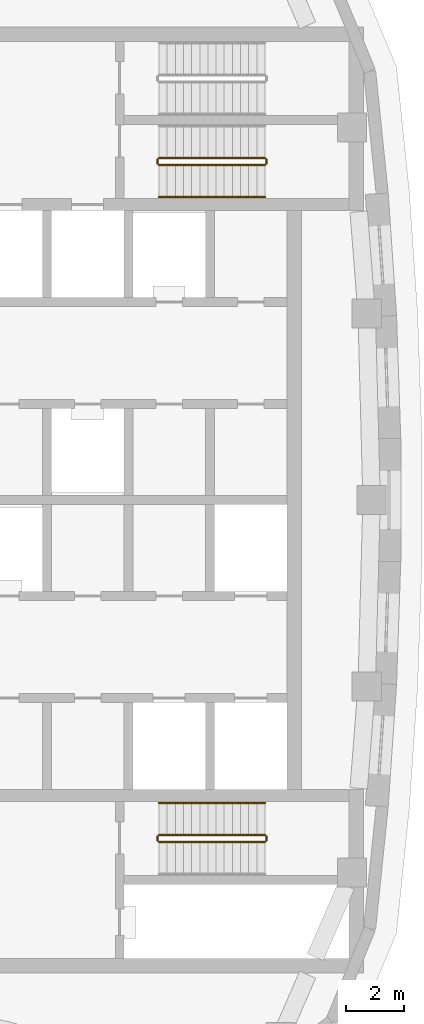
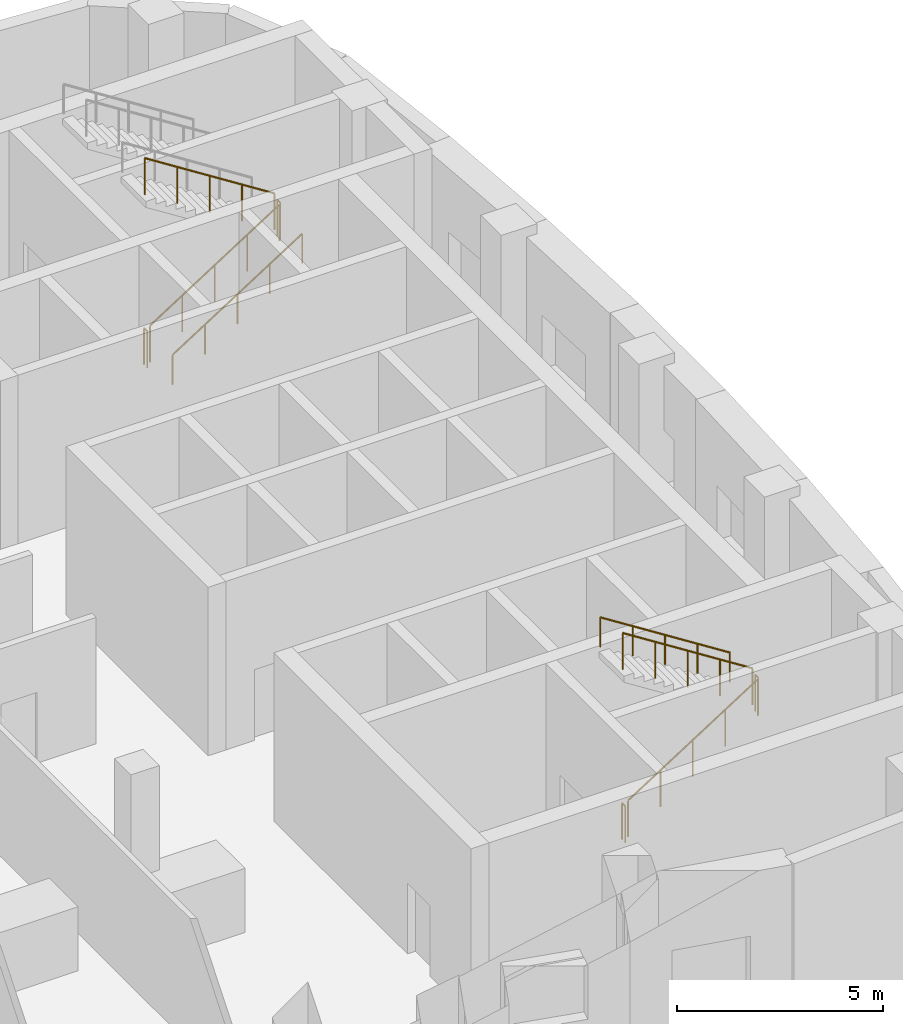
# One storey, part 6 of 8: 10 railings.
"""IFC4 building model written with IfcOpenShell, lengths in metres."""

import ifcopenshell
import ifcopenshell.guid

model = None  # the IFC model being written
_history = None  # IfcOwnerHistory: only IFC2X3 demands one
_inside = {}  # id of a spatial element -> (the spatial element, [elements in it])
_under = {}  # id of a project, library or spatial element -> (it, [spatial elements below it])
_declared = {}  # id of a project -> (the project, [libraries it declares])
_typed = {}  # id of a type object -> (the type object, [elements of that type])
_made_of = {}  # id of a material, layer set ... -> (it, [elements and type objects made of it])


def new_model(schema):
    """Start an empty IFC model of exactly this schema.

    Asked for "IFC4X3", IfcOpenShell would pick the latest addendum, in which some entities
    have other attributes; the version numbers below select the first issue.
    IFC2X3 requires an IfcOwnerHistory on every rooted entity: one is made here for all.
    """
    global model, _history
    if schema == "IFC4X3":
        model = ifcopenshell.file(schema_version=(4, 3, 0, 0))
    else:
        model = ifcopenshell.file(schema=schema)
    _inside.clear()
    _under.clear()
    _declared.clear()
    _typed.clear()
    _made_of.clear()
    _history = None
    if model.schema == "IFC2X3":
        org = make("IfcOrganization", Name="unknown")
        user = make(
            "IfcPersonAndOrganization",
            ThePerson=make("IfcPerson", FamilyName="unknown"),
            TheOrganization=org,
        )
        app = make(
            "IfcApplication",
            ApplicationDeveloper=org,
            Version="unknown",
            ApplicationFullName="unknown",
            ApplicationIdentifier="unknown",
        )
        _history = make(
            "IfcOwnerHistory",
            OwningUser=user,
            OwningApplication=app,
            ChangeAction="ADDED",
            CreationDate=0,
        )
    return model


def make(cls, **values):
    """One entity of the class cls with the attributes given. An attribute that is None is left unset."""
    return model.create_entity(
        cls, **{name: value for name, value in values.items() if value is not None}
    )


def rooted(cls, **values):
    """An entity with a GlobalId (a new one), such as an element, a storey or a relation."""
    return make(cls, GlobalId=ifcopenshell.guid.new(), OwnerHistory=_history, **values)


def si_unit(unit_type, name, prefix=None):
    """IfcSIUnit, for example si_unit("LENGTHUNIT", "METRE", prefix="MILLI")."""
    return make("IfcSIUnit", UnitType=unit_type, Prefix=prefix, Name=name)


def assignment(units):
    """IfcUnitAssignment: the units of a project."""
    return None if units is None else make("IfcUnitAssignment", Units=units)


def point(xyz):
    """IfcCartesianPoint."""
    return None if xyz is None else make("IfcCartesianPoint", Coordinates=xyz)


def direction(xyz):
    """IfcDirection."""
    return None if xyz is None else make("IfcDirection", DirectionRatios=xyz)


def frame(location, z_axis=None, x_axis=None):
    """IfcAxis2Placement3D, a coordinate frame: its origin and axes. An axis left out is left unset."""
    return make(
        "IfcAxis2Placement3D",
        Location=point(location),
        Axis=direction(z_axis),
        RefDirection=direction(x_axis),
    )


def frame_2d(location, x_axis=None):
    """IfcAxis2Placement2D, a coordinate frame in the plane: its origin and x axis."""
    return make(
        "IfcAxis2Placement2D", Location=point(location), RefDirection=direction(x_axis)
    )


def origin():
    """The frame at (0, 0, 0) with its axes left unset."""
    return frame((0.0, 0.0, 0.0))


def origin_2d():
    """The frame at (0, 0) in the plane with its x axis left unset."""
    return frame_2d((0.0, 0.0))


def place(relative_to, where):
    """IfcLocalPlacement: puts the frame where relative to a parent placement (None: the world)."""
    return make(
        "IfcLocalPlacement", PlacementRelTo=relative_to, RelativePlacement=where
    )


def context(
    kind, dimensions, precision=None, world=None, true_north=None, identifier=None
):
    """IfcGeometricRepresentationContext, for example the 3D "Model" context."""
    return make(
        "IfcGeometricRepresentationContext",
        ContextIdentifier=identifier,
        ContextType=kind,
        CoordinateSpaceDimension=dimensions,
        Precision=precision,
        WorldCoordinateSystem=world,
        TrueNorth=true_north,
    )


def subcontext(parent, identifier, kind, view, scale=None):
    """IfcGeometricRepresentationSubContext, for example "Body" below "Model"."""
    return make(
        "IfcGeometricRepresentationSubContext",
        ContextIdentifier=identifier,
        ContextType=kind,
        ParentContext=parent,
        TargetScale=scale,
        TargetView=view,
    )


def project(units=None, contexts=None):
    """IfcProject with its units and contexts."""
    return rooted(
        "IfcProject",
        Name="project",
        RepresentationContexts=contexts,
        UnitsInContext=assignment(units),
    )


def spatial(cls, under=None, at=None, **own):
    """A site, building, storey or space (cls), placed at a placement, below another one or the project."""
    s = rooted(cls, ObjectPlacement=at, **own)
    if under is not None:
        _under.setdefault(under.id(), (under, []))[1].append(s)
    return s


def profile(cls, at=None, kind="AREA", **sizes):
    """A parametric profile (cls). Its sizes go by their IFC names, for example OverallWidth=200.0."""
    return make(cls, ProfileType=kind, Position=at, **sizes)


def circle(**sizes):
    """IfcCircleProfileDef."""
    return profile("IfcCircleProfileDef", **sizes)


def extrude(swept, where, along, depth):
    """IfcExtrudedAreaSolid: the profile swept, set in the frame where, extruded along a direction by depth."""
    return make(
        "IfcExtrudedAreaSolid",
        SweptArea=swept,
        Position=where,
        ExtrudedDirection=direction(along),
        Depth=depth,
    )


def shape(context_of_items, identifier, shape_type, items):
    """IfcShapeRepresentation: the items that make up one representation, for example the "Body"."""
    return make(
        "IfcShapeRepresentation",
        ContextOfItems=context_of_items,
        RepresentationIdentifier=identifier,
        RepresentationType=shape_type,
        Items=items,
    )


def material(Name=None, Category=None):
    """IfcMaterial."""
    return make("IfcMaterial", Name=Name, Category=Category)


def made_of(thing, what):
    """Note that an element or type object is made of a material, layer set ...; save() writes the relation."""
    if what is not None:
        _made_of.setdefault(what.id(), (what, []))[1].append(thing)
    return thing


def type_object(cls, material=None, **own):
    """A type object (cls), such as IfcWallType, which elements share."""
    return made_of(rooted(cls, **own), material)


def element(
    cls,
    number,
    at=None,
    inside=None,
    cuts=None,
    type_object=None,
    material=None,
    context=None,
    identifier="Body",
    shape_type=None,
    held_by="IfcProductDefinitionShape",
    body=None,
    shapes=None,
    **own,
):
    """One element of the class cls, such as IfcWall. Its Tag is "e" and its number.

    at: its placement. inside: the storey or other place that contains it. cuts: it is an
    opening in that element (IfcRelVoidsElement). A single representation is given by context,
    identifier, shape_type and body (its items); several are given by shapes. held_by: the class
    of the entity that holds the representations. save() writes the other relations.
    """
    e = rooted(cls, Tag="e%d" % number, ObjectPlacement=at, **own)
    if body is not None:
        shapes = [shape(context, identifier, shape_type, body)]
    if shapes is not None:
        e.Representation = make(held_by, Representations=shapes)
    if inside is not None:
        _inside.setdefault(inside.id(), (inside, []))[1].append(e)
    if cuts is not None:
        rooted(
            "IfcRelVoidsElement", RelatingBuildingElement=cuts, RelatedOpeningElement=e
        )
    if type_object is not None:
        _typed.setdefault(type_object.id(), (type_object, []))[1].append(e)
    return made_of(e, material)


def aggregate(whole, parts):
    """IfcRelAggregates: a whole, such as a stair, and the parts it consists of."""
    return rooted("IfcRelAggregates", RelatingObject=whole, RelatedObjects=parts)


def save(model, path):
    """Write the relations noted so far, then the file.

    IfcRelAggregates (storeys below a building ...), IfcRelContainedInSpatialStructure (elements
    in a storey), IfcRelDefinesByType, IfcRelAssociatesMaterial and IfcRelDeclares: one each for
    every whole, place, type object, material and project.
    """
    for whole, parts in _under.values():
        aggregate(whole, parts)
    for where, things in _inside.values():
        rooted(
            "IfcRelContainedInSpatialStructure",
            RelatedElements=things,
            RelatingStructure=where,
        )
    for kind, things in _typed.values():
        rooted("IfcRelDefinesByType", RelatedObjects=things, RelatingType=kind)
    for what, things in _made_of.values():
        rooted("IfcRelAssociatesMaterial", RelatedObjects=things, RelatingMaterial=what)
    for by, libraries in _declared.values():
        rooted("IfcRelDeclares", RelatingContext=by, RelatedDefinitions=libraries)
    model.write(path)


model = new_model("IFC4")

# Units and contexts
model_context = context("Model", 3, precision=1e-05, world=origin(), true_north=direction((0.0, 1.0)))
body_context = subcontext(model_context, "Body", "Model", "MODEL_VIEW")
ifc_project = project(units=[si_unit("LENGTHUNIT", "METRE"), si_unit("AREAUNIT", "SQUARE_METRE"), si_unit("VOLUMEUNIT", "CUBIC_METRE"), si_unit("PLANEANGLEUNIT", "RADIAN"), si_unit("MASSUNIT", "GRAM", prefix="KILO")], contexts=[model_context])

# Site, building, storey
site_placement = place(None, origin())
site = spatial("IfcSite", under=ifc_project, at=site_placement, CompositionType="ELEMENT")
building_placement = place(site_placement, origin())
building = spatial("IfcBuilding", under=site, at=building_placement, Name="Ostrand Prow Hotel Tower", CompositionType="ELEMENT")
storey_placement = place(building_placement, frame((0.0, 0.0, 332.39990234375)))
storey = spatial("IfcBuildingStorey", under=building, at=storey_placement, Name="C6", CompositionType="ELEMENT", Elevation=332.39990234375)

# Railings
ifc_material_1 = material(Name="Painted steel", Category="steel")
railing_type_1 = type_object("IfcRailingType", Name="Stair guard 1100", PredefinedType="GUARDRAIL", material=ifc_material_1)
railing_1_placement = place(storey_placement, frame((57.199951171875, 11.5, 0.1787109375)))
element("IfcRailing", 1, at=railing_1_placement, inside=storey, type_object=railing_type_1, Name="C6 ST1C stair guard 1", PredefinedType="GUARDRAIL", context=body_context, shape_type="SweptSolid", body=[
    extrude(circle(Radius=0.02392578125, at=origin_2d()), frame((0.0, 0.0, 1.076171875), z_axis=(0.843153495434, 0.0, 0.537672933239), x_axis=(0.0, 1.0, 0.0)), (0.0, 0.0, 1.0), 4.3173828125),
    extrude(circle(Radius=0.02099609375, at=origin_2d()), origin(), (0.0, 0.0, 1.0), 1.052001953125),
    extrude(circle(Radius=0.02099609375, at=origin_2d()), frame((0.91015625, 0.0, 0.580322265625)), (0.0, 0.0, 1.0), 1.052001953125),
    extrude(circle(Radius=0.02099609375, at=origin_2d()), frame((1.820068359375, 0.0, 1.16064453125)), (0.0, 0.0, 1.0), 1.052001953125),
    extrude(circle(Radius=0.02099609375, at=origin_2d()), frame((2.72998046875, 0.0, 1.740966796875)), (0.0, 0.0, 1.0), 1.052001953125),
    extrude(circle(Radius=0.02099609375, at=origin_2d()), frame((3.64013671875, 0.0, 2.3212890625)), (0.0, 0.0, 1.0), 1.052001953125),
])
railing_2_placement = place(storey_placement, frame((60.889892578125, 11.550048828125, 2.5)))
element("IfcRailing", 2, at=railing_2_placement, inside=storey, type_object=railing_type_1, Name="C6 ST1C stair guard 2", PredefinedType="GUARDRAIL", context=body_context, shape_type="SweptSolid", body=[
    extrude(circle(Radius=0.02392578125, at=origin_2d()), frame((0.0, 0.0, 1.076171875), z_axis=(0.0, 1.0, 0.0), x_axis=(-1.0, 0.0, 0.0)), (0.0, 0.0, 1.0), 0.14990234375),
    extrude(circle(Radius=0.02099609375, at=origin_2d()), origin(), (0.0, 0.0, 1.0), 1.052001953125),
    extrude(circle(Radius=0.02099609375, at=origin_2d()), frame((0.0, 0.14990234375, 0.0)), (0.0, 0.0, 1.0), 1.052001953125),
])
railing_3_placement = place(storey_placement, frame((60.840087890625, 11.75, 2.6787109375)))
element("IfcRailing", 3, at=railing_3_placement, inside=storey, type_object=railing_type_1, Name="C6 ST1C stair guard 3", PredefinedType="GUARDRAIL", context=body_context, shape_type="SweptSolid", body=[
    extrude(circle(Radius=0.02392578125, at=origin_2d()), frame((0.0, 0.0, 1.076171875), z_axis=(-0.843153495434, 0.0, 0.537672933239), x_axis=(0.0, -1.0, 0.0)), (0.0, 0.0, 1.0), 4.3173828125),
    extrude(circle(Radius=0.02099609375, at=origin_2d()), origin(), (0.0, 0.0, 1.0), 1.052001953125),
    extrude(circle(Radius=0.02099609375, at=origin_2d()), frame((-0.91015625, 0.0, 0.580322265625)), (0.0, 0.0, 1.0), 1.052001953125),
    extrude(circle(Radius=0.02099609375, at=origin_2d()), frame((-1.820068359375, 0.0, 1.16064453125)), (0.0, 0.0, 1.0), 1.052001953125),
    extrude(circle(Radius=0.02099609375, at=origin_2d()), frame((-2.72998046875, 0.0, 1.740966796875)), (0.0, 0.0, 1.0), 1.052001953125),
    extrude(circle(Radius=0.02099609375, at=origin_2d()), frame((-3.64013671875, 0.0, 2.3212890625)), (0.0, 0.0, 1.0), 1.052001953125),
])
railing_4_placement = place(storey_placement, frame((57.14990234375, 11.550048828125, 0.0)))
element("IfcRailing", 4, at=railing_4_placement, inside=storey, type_object=railing_type_1, Name="C6 ST1C stair guard 4", PredefinedType="GUARDRAIL", context=body_context, shape_type="SweptSolid", body=[
    extrude(circle(Radius=0.02392578125, at=origin_2d()), frame((0.0, 0.0, 1.076171875), z_axis=(0.0, 1.0, 0.0), x_axis=(-1.0, 0.0, 0.0)), (0.0, 0.0, 1.0), 0.14990234375),
    extrude(circle(Radius=0.02099609375, at=origin_2d()), origin(), (0.0, 0.0, 1.0), 1.052001953125),
    extrude(circle(Radius=0.02099609375, at=origin_2d()), frame((0.0, 0.14990234375, 0.0)), (0.0, 0.0, 1.0), 1.052001953125),
])
railing_5_placement = place(storey_placement, frame((57.199951171875, -11.75, 0.1787109375)))
element("IfcRailing", 5, at=railing_5_placement, inside=storey, type_object=railing_type_1, Name="C6 ST2C stair guard 1", PredefinedType="GUARDRAIL", context=body_context, shape_type="SweptSolid", body=[
    extrude(circle(Radius=0.02392578125, at=origin_2d()), frame((0.0, 0.0, 1.076171875), z_axis=(0.843153495434, 0.0, 0.537672933239), x_axis=(0.0, 1.0, 0.0)), (0.0, 0.0, 1.0), 4.3173828125),
    extrude(circle(Radius=0.02099609375, at=origin_2d()), origin(), (0.0, 0.0, 1.0), 1.052001953125),
    extrude(circle(Radius=0.02099609375, at=origin_2d()), frame((0.91015625, 0.0, 0.580322265625)), (0.0, 0.0, 1.0), 1.052001953125),
    extrude(circle(Radius=0.02099609375, at=origin_2d()), frame((1.820068359375, 0.0, 1.16064453125)), (0.0, 0.0, 1.0), 1.052001953125),
    extrude(circle(Radius=0.02099609375, at=origin_2d()), frame((2.72998046875, 0.0, 1.740966796875)), (0.0, 0.0, 1.0), 1.052001953125),
    extrude(circle(Radius=0.02099609375, at=origin_2d()), frame((3.64013671875, 0.0, 2.3212890625)), (0.0, 0.0, 1.0), 1.052001953125),
])
railing_6_placement = place(storey_placement, frame((60.889892578125, -11.699951171875, 2.5)))
element("IfcRailing", 6, at=railing_6_placement, inside=storey, type_object=railing_type_1, Name="C6 ST2C stair guard 2", PredefinedType="GUARDRAIL", context=body_context, shape_type="SweptSolid", body=[
    extrude(circle(Radius=0.02392578125, at=origin_2d()), frame((0.0, 0.0, 1.076171875), z_axis=(0.0, 1.0, 0.0), x_axis=(-1.0, 0.0, 0.0)), (0.0, 0.0, 1.0), 0.14990234375),
    extrude(circle(Radius=0.02099609375, at=origin_2d()), origin(), (0.0, 0.0, 1.0), 1.052001953125),
    extrude(circle(Radius=0.02099609375, at=origin_2d()), frame((0.0, 0.14990234375, 0.0)), (0.0, 0.0, 1.0), 1.052001953125),
])
railing_7_placement = place(storey_placement, frame((60.840087890625, -11.5, 2.6787109375)))
element("IfcRailing", 7, at=railing_7_placement, inside=storey, type_object=railing_type_1, Name="C6 ST2C stair guard 3", PredefinedType="GUARDRAIL", context=body_context, shape_type="SweptSolid", body=[
    extrude(circle(Radius=0.02392578125, at=origin_2d()), frame((0.0, 0.0, 1.076171875), z_axis=(-0.843153495434, 0.0, 0.537672933239), x_axis=(0.0, -1.0, 0.0)), (0.0, 0.0, 1.0), 4.3173828125),
    extrude(circle(Radius=0.02099609375, at=origin_2d()), origin(), (0.0, 0.0, 1.0), 1.052001953125),
    extrude(circle(Radius=0.02099609375, at=origin_2d()), frame((-0.91015625, 0.0, 0.580322265625)), (0.0, 0.0, 1.0), 1.052001953125),
    extrude(circle(Radius=0.02099609375, at=origin_2d()), frame((-1.820068359375, 0.0, 1.16064453125)), (0.0, 0.0, 1.0), 1.052001953125),
    extrude(circle(Radius=0.02099609375, at=origin_2d()), frame((-2.72998046875, 0.0, 1.740966796875)), (0.0, 0.0, 1.0), 1.052001953125),
    extrude(circle(Radius=0.02099609375, at=origin_2d()), frame((-3.64013671875, 0.0, 2.3212890625)), (0.0, 0.0, 1.0), 1.052001953125),
])
railing_8_placement = place(storey_placement, frame((57.14990234375, -11.699951171875, 0.0)))
element("IfcRailing", 8, at=railing_8_placement, inside=storey, type_object=railing_type_1, Name="C6 ST2C stair guard 4", PredefinedType="GUARDRAIL", context=body_context, shape_type="SweptSolid", body=[
    extrude(circle(Radius=0.02392578125, at=origin_2d()), frame((0.0, 0.0, 1.076171875), z_axis=(0.0, 1.0, 0.0), x_axis=(-1.0, 0.0, 0.0)), (0.0, 0.0, 1.0), 0.14990234375),
    extrude(circle(Radius=0.02099609375, at=origin_2d()), origin(), (0.0, 0.0, 1.0), 1.052001953125),
    extrude(circle(Radius=0.02099609375, at=origin_2d()), frame((0.0, 0.14990234375, 0.0)), (0.0, 0.0, 1.0), 1.052001953125),
])
ifc_material_2 = material(Name="Stainless steel", Category="steel")
railing_type_2 = type_object("IfcRailingType", Name="Stair handrail 900", PredefinedType="HANDRAIL", material=ifc_material_2)
railing_9_placement = place(storey_placement, frame((57.199951171875, 10.39990234375, 0.1787109375)))
element("IfcRailing", 9, at=railing_9_placement, inside=storey, type_object=railing_type_2, Name="C6 ST1C stair handrail 1", PredefinedType="HANDRAIL", context=body_context, shape_type="SweptSolid", body=[
    extrude(circle(Radius=0.02392578125, at=origin_2d()), frame((0.0, 0.0, 0.8759765625), z_axis=(0.843153495434, 0.0, 0.537672933239), x_axis=(0.0, 1.0, 0.0)), (0.0, 0.0, 1.0), 4.3173828125),
    extrude(circle(Radius=0.02099609375, at=origin_2d()), origin(), (0.0, 0.0, 1.0), 0.851806640625),
    extrude(circle(Radius=0.02099609375, at=origin_2d()), frame((0.91015625, 0.0, 0.580322265625)), (0.0, 0.0, 1.0), 0.851806640625),
    extrude(circle(Radius=0.02099609375, at=origin_2d()), frame((1.820068359375, 0.0, 1.16064453125)), (0.0, 0.0, 1.0), 0.851806640625),
    extrude(circle(Radius=0.02099609375, at=origin_2d()), frame((2.72998046875, 0.0, 1.740966796875)), (0.0, 0.0, 1.0), 0.851806640625),
    extrude(circle(Radius=0.02099609375, at=origin_2d()), frame((3.64013671875, 0.0, 2.3212890625)), (0.0, 0.0, 1.0), 0.851806640625),
])
railing_10_placement = place(storey_placement, frame((60.840087890625, -10.39990234375, 2.6787109375)))
element("IfcRailing", 10, at=railing_10_placement, inside=storey, type_object=railing_type_2, Name="C6 ST2C stair handrail 2", PredefinedType="HANDRAIL", context=body_context, shape_type="SweptSolid", body=[
    extrude(circle(Radius=0.02392578125, at=origin_2d()), frame((0.0, 0.0, 0.8759765625), z_axis=(-0.843153495434, 0.0, 0.537672933239), x_axis=(0.0, -1.0, 0.0)), (0.0, 0.0, 1.0), 4.3173828125),
    extrude(circle(Radius=0.02099609375, at=origin_2d()), origin(), (0.0, 0.0, 1.0), 0.851806640625),
    extrude(circle(Radius=0.02099609375, at=origin_2d()), frame((-0.91015625, 0.0, 0.580322265625)), (0.0, 0.0, 1.0), 0.851806640625),
    extrude(circle(Radius=0.02099609375, at=origin_2d()), frame((-1.820068359375, 0.0, 1.16064453125)), (0.0, 0.0, 1.0), 0.851806640625),
    extrude(circle(Radius=0.02099609375, at=origin_2d()), frame((-2.72998046875, 0.0, 1.740966796875)), (0.0, 0.0, 1.0), 0.851806640625),
    extrude(circle(Radius=0.02099609375, at=origin_2d()), frame((-3.64013671875, 0.0, 2.3212890625)), (0.0, 0.0, 1.0), 0.851806640625),
])

save(model, "model.ifc")
